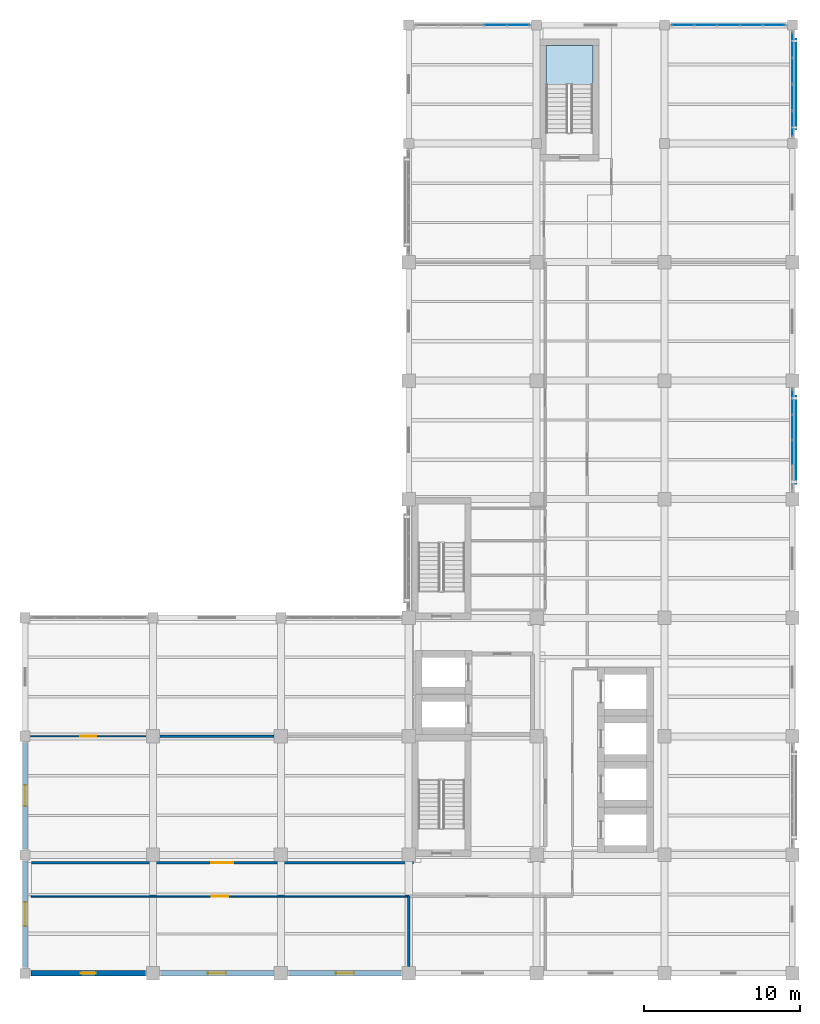
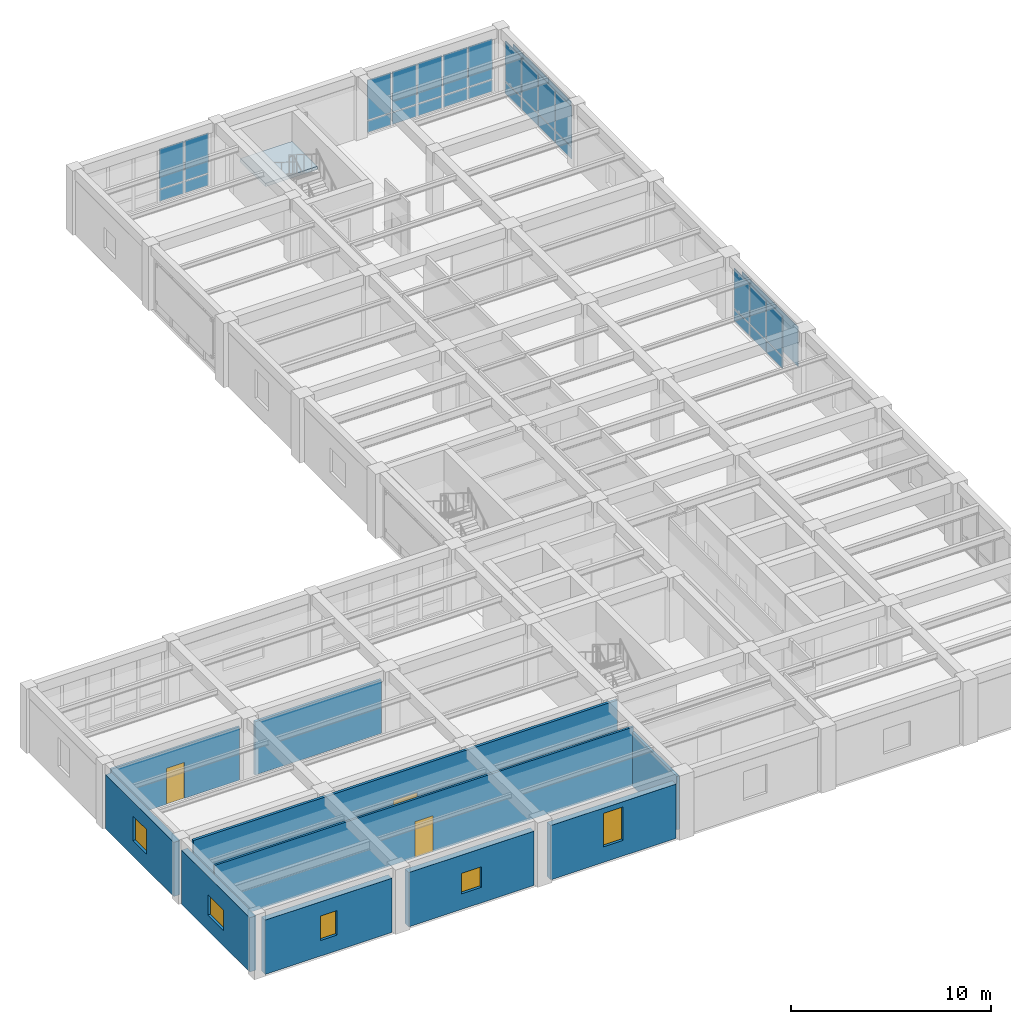
# One storey, part 8 of 16: 30 plates, 10 walls, 5 windows, 3 doors, 1 slab, 8 openings, 5 elements without a shape of their own.
"""IFC4 building model written with IfcOpenShell, lengths in metres."""

from ifc_helpers import new_model, si_unit, direction, frame, frame_2d, origin, origin_2d, place, context, subcontext, project, spatial, polyline, rectangle, outline, extrude, material, layer, layer_set, type_object, element, fill, aggregate, save


model = new_model("IFC4")

# Units and contexts
model_context = context("Model", 3, precision=1e-05, world=origin(), true_north=direction((0.0, 1.0)))
body_context = subcontext(model_context, "Body", "Model", "MODEL_VIEW")
ifc_project = project(units=[si_unit("LENGTHUNIT", "METRE"), si_unit("AREAUNIT", "SQUARE_METRE"), si_unit("VOLUMEUNIT", "CUBIC_METRE"), si_unit("PLANEANGLEUNIT", "RADIAN"), si_unit("MASSUNIT", "GRAM", prefix="KILO")], contexts=[model_context])

# Site, building, storey
site_placement = place(None, origin())
site = spatial("IfcSite", under=ifc_project, at=site_placement, CompositionType="ELEMENT")
building_placement = place(site_placement, origin())
building = spatial("IfcBuilding", under=site, at=building_placement, Name="Qandaris Square Conservatory and Botanical Centre", CompositionType="ELEMENT")
storey_placement = place(building_placement, frame((0.0, 0.0, 24.0)))
storey = spatial("IfcBuildingStorey", under=building, at=storey_placement, Name="L05", CompositionType="ELEMENT", Elevation=24.0)

# Curtain wall, plates
ifc_material_1 = material(Name="Anodised Aluminium", Category="aluminium")
curtain_wall_type_1 = type_object("IfcCurtainWallType", Name="Unitised Curtain Wall CW-4-655x333", PredefinedType="USERDEFINED", material=ifc_material_1)
curtain_wall_1_placement = place(storey_placement, origin())
curtain_wall_1 = element("IfcCurtainWall", 1, at=curtain_wall_1_placement, inside=storey, type_object=curtain_wall_type_1, Name="Curtain Wall CW-TWR-L05-2-5", ObjectType="GLAZED CURTAIN WALL", PredefinedType="USERDEFINED")
ifc_material_2 = material(Name="Tempered Low-E Glass", Category="glass")
ifc_layer_1 = layer(ifc_material_2, 0.035888671875)
ifc_layer_set_1 = layer_set([ifc_layer_1], Name="Tempered Low-E Glass")
plate_type_1 = type_object("IfcPlateType", Name="Double-Glazed Solar Control Vision Unit 36mm", PredefinedType="CURTAIN_PANEL", material=ifc_layer_set_1)
plate_1_placement = place(storey_placement, frame((163.800048828125, 49.981201171875, 0.06494140625), z_axis=(0.0, 0.0, 1.0), x_axis=(0.0, 1.0, 0.0)))
plate_1 = element("IfcPlate", 2, at=plate_1_placement, type_object=plate_type_1, Name="CW-4-655x333 panel 2.1", PredefinedType="CURTAIN_PANEL", context=body_context, shape_type="SweptSolid", body=[
    extrude(rectangle(XDim=1.572509765625, YDim=0.035888671875, at=origin_2d()), origin(), (0.0, 0.0, 1.0), 0.70166015625),
])
plate_2_placement = place(storey_placement, frame((163.800048828125, 49.981201171875, 0.83154296875), z_axis=(0.0, 0.0, 1.0), x_axis=(0.0, 1.0, 0.0)))
plate_2 = element("IfcPlate", 3, at=plate_2_placement, type_object=plate_type_1, Name="CW-4-655x333 panel 2.2", PredefinedType="CURTAIN_PANEL", context=body_context, shape_type="SweptSolid", body=[
    extrude(rectangle(XDim=1.572509765625, YDim=0.035888671875, at=origin_2d()), origin(), (0.0, 0.0, 1.0), 2.433349609375),
])
plate_3_placement = place(storey_placement, frame((163.800048828125, 51.61865234375, 0.06494140625), z_axis=(0.0, 0.0, 1.0), x_axis=(0.0, 1.0, 0.0)))
plate_3 = element("IfcPlate", 4, at=plate_3_placement, type_object=plate_type_1, Name="CW-4-655x333 panel 3.1", PredefinedType="CURTAIN_PANEL", context=body_context, shape_type="SweptSolid", body=[
    extrude(rectangle(XDim=1.572509765625, YDim=0.035888671875, at=origin_2d()), origin(), (0.0, 0.0, 1.0), 0.70166015625),
])
plate_4_placement = place(storey_placement, frame((163.800048828125, 51.61865234375, 0.83154296875), z_axis=(0.0, 0.0, 1.0), x_axis=(0.0, 1.0, 0.0)))
plate_4 = element("IfcPlate", 5, at=plate_4_placement, type_object=plate_type_1, Name="CW-4-655x333 panel 3.2", PredefinedType="CURTAIN_PANEL", context=body_context, shape_type="SweptSolid", body=[
    extrude(rectangle(XDim=1.572509765625, YDim=0.035888671875, at=origin_2d()), origin(), (0.0, 0.0, 1.0), 2.433349609375),
])
plate_5_placement = place(storey_placement, frame((163.800048828125, 53.239990234375, 0.06494140625), z_axis=(0.0, 0.0, 1.0), x_axis=(0.0, 1.0, 0.0)))
plate_5 = element("IfcPlate", 6, at=plate_5_placement, type_object=plate_type_1, Name="CW-4-655x333 panel 4.1", PredefinedType="CURTAIN_PANEL", context=body_context, shape_type="SweptSolid", body=[
    extrude(rectangle(XDim=1.5400390625, YDim=0.035888671875, at=origin_2d()), origin(), (0.0, 0.0, 1.0), 0.70166015625),
])
plate_6_placement = place(storey_placement, frame((163.800048828125, 53.239990234375, 0.83154296875), z_axis=(0.0, 0.0, 1.0), x_axis=(0.0, 1.0, 0.0)))
plate_6 = element("IfcPlate", 7, at=plate_6_placement, type_object=plate_type_1, Name="CW-4-655x333 panel 4.2", PredefinedType="CURTAIN_PANEL", context=body_context, shape_type="SweptSolid", body=[
    extrude(rectangle(XDim=1.5400390625, YDim=0.035888671875, at=origin_2d()), origin(), (0.0, 0.0, 1.0), 2.433349609375),
])
aggregate(curtain_wall_1, [plate_1, plate_2, plate_3, plate_4, plate_5, plate_6])

curtain_wall_type_2 = type_object("IfcCurtainWallType", Name="Unitised Curtain Wall CW-4-675x333", PredefinedType="USERDEFINED", material=ifc_material_1)
curtain_wall_2_placement = place(storey_placement, origin())
curtain_wall_2 = element("IfcCurtainWall", 8, at=curtain_wall_2_placement, inside=storey, type_object=curtain_wall_type_2, Name="Curtain Wall CW-TWR-L05-2-8", ObjectType="GLAZED CURTAIN WALL", PredefinedType="USERDEFINED")
plate_7_placement = place(storey_placement, frame((163.800048828125, 71.0849609375, 0.06494140625), z_axis=(0.0, 0.0, 1.0), x_axis=(0.0, 1.0, 0.0)))
plate_7 = element("IfcPlate", 9, at=plate_7_placement, type_object=plate_type_1, Name="CW-4-675x333 panel 1.1", PredefinedType="CURTAIN_PANEL", context=body_context, shape_type="SweptSolid", body=[
    extrude(rectangle(XDim=1.590087890625, YDim=0.035888671875, at=origin_2d()), origin(), (0.0, 0.0, 1.0), 0.70166015625),
])
plate_8_placement = place(storey_placement, frame((163.800048828125, 71.0849609375, 0.83154296875), z_axis=(0.0, 0.0, 1.0), x_axis=(0.0, 1.0, 0.0)))
plate_8 = element("IfcPlate", 10, at=plate_8_placement, type_object=plate_type_1, Name="CW-4-675x333 panel 1.2", PredefinedType="CURTAIN_PANEL", context=body_context, shape_type="SweptSolid", body=[
    extrude(rectangle(XDim=1.590087890625, YDim=0.035888671875, at=origin_2d()), origin(), (0.0, 0.0, 1.0), 2.433349609375),
])
plate_9_placement = place(storey_placement, frame((163.800048828125, 72.75634765625, 0.06494140625), z_axis=(0.0, 0.0, 1.0), x_axis=(0.0, 1.0, 0.0)))
plate_9 = element("IfcPlate", 11, at=plate_9_placement, type_object=plate_type_1, Name="CW-4-675x333 panel 2.1", PredefinedType="CURTAIN_PANEL", context=body_context, shape_type="SweptSolid", body=[
    extrude(rectangle(XDim=1.62255859375, YDim=0.035888671875, at=origin_2d()), origin(), (0.0, 0.0, 1.0), 0.70166015625),
])
plate_10_placement = place(storey_placement, frame((163.800048828125, 72.75634765625, 0.83154296875), z_axis=(0.0, 0.0, 1.0), x_axis=(0.0, 1.0, 0.0)))
plate_10 = element("IfcPlate", 12, at=plate_10_placement, type_object=plate_type_1, Name="CW-4-675x333 panel 2.2", PredefinedType="CURTAIN_PANEL", context=body_context, shape_type="SweptSolid", body=[
    extrude(rectangle(XDim=1.62255859375, YDim=0.035888671875, at=origin_2d()), origin(), (0.0, 0.0, 1.0), 2.433349609375),
])
plate_11_placement = place(storey_placement, frame((163.800048828125, 74.44384765625, 0.06494140625), z_axis=(0.0, 0.0, 1.0), x_axis=(0.0, 1.0, 0.0)))
plate_11 = element("IfcPlate", 13, at=plate_11_placement, type_object=plate_type_1, Name="CW-4-675x333 panel 3.1", PredefinedType="CURTAIN_PANEL", context=body_context, shape_type="SweptSolid", body=[
    extrude(rectangle(XDim=1.62255859375, YDim=0.035888671875, at=origin_2d()), origin(), (0.0, 0.0, 1.0), 0.70166015625),
])
plate_12_placement = place(storey_placement, frame((163.800048828125, 74.44384765625, 0.83154296875), z_axis=(0.0, 0.0, 1.0), x_axis=(0.0, 1.0, 0.0)))
plate_12 = element("IfcPlate", 14, at=plate_12_placement, type_object=plate_type_1, Name="CW-4-675x333 panel 3.2", PredefinedType="CURTAIN_PANEL", context=body_context, shape_type="SweptSolid", body=[
    extrude(rectangle(XDim=1.62255859375, YDim=0.035888671875, at=origin_2d()), origin(), (0.0, 0.0, 1.0), 2.433349609375),
])
plate_13_placement = place(storey_placement, frame((163.800048828125, 76.114990234375, 0.06494140625), z_axis=(0.0, 0.0, 1.0), x_axis=(0.0, 1.0, 0.0)))
plate_13 = element("IfcPlate", 15, at=plate_13_placement, type_object=plate_type_1, Name="CW-4-675x333 panel 4.1", PredefinedType="CURTAIN_PANEL", context=body_context, shape_type="SweptSolid", body=[
    extrude(rectangle(XDim=1.590087890625, YDim=0.035888671875, at=origin_2d()), origin(), (0.0, 0.0, 1.0), 0.70166015625),
])
plate_14_placement = place(storey_placement, frame((163.800048828125, 76.114990234375, 0.83154296875), z_axis=(0.0, 0.0, 1.0), x_axis=(0.0, 1.0, 0.0)))
plate_14 = element("IfcPlate", 16, at=plate_14_placement, type_object=plate_type_1, Name="CW-4-675x333 panel 4.2", PredefinedType="CURTAIN_PANEL", context=body_context, shape_type="SweptSolid", body=[
    extrude(rectangle(XDim=1.590087890625, YDim=0.035888671875, at=origin_2d()), origin(), (0.0, 0.0, 1.0), 2.433349609375),
])
aggregate(curtain_wall_2, [plate_7, plate_8, plate_9, plate_10, plate_11, plate_12, plate_13, plate_14])

curtain_wall_type_3 = type_object("IfcCurtainWallType", Name="Unitised Curtain Wall CW-3-735x333", PredefinedType="USERDEFINED", material=ifc_material_1)
curtain_wall_3_placement = place(storey_placement, origin())
curtain_wall_3 = element("IfcCurtainWall", 17, at=curtain_wall_3_placement, inside=storey, type_object=curtain_wall_type_3, Name="Curtain Wall CW-TWR-L05-3-1", ObjectType="GLAZED CURTAIN WALL", PredefinedType="USERDEFINED")
plate_15_placement = place(storey_placement, frame((162.623779296875, 77.39990234375, 0.06494140625), z_axis=(0.0, 0.0, 1.0), x_axis=(-1.0, 0.0, 0.0)))
plate_15 = element("IfcPlate", 18, at=plate_15_placement, type_object=plate_type_1, Name="CW-3-735x333 panel 1.1", PredefinedType="CURTAIN_PANEL", context=body_context, shape_type="SweptSolid", body=[
    extrude(rectangle(XDim=1.37255859375, YDim=0.035888671875, at=origin_2d()), origin(), (0.0, 0.0, 1.0), 0.70166015625),
])
plate_16_placement = place(storey_placement, frame((162.623779296875, 77.39990234375, 0.83154296875), z_axis=(0.0, 0.0, 1.0), x_axis=(-1.0, 0.0, 0.0)))
plate_16 = element("IfcPlate", 19, at=plate_16_placement, type_object=plate_type_1, Name="CW-3-735x333 panel 1.2", PredefinedType="CURTAIN_PANEL", context=body_context, shape_type="SweptSolid", body=[
    extrude(rectangle(XDim=1.37255859375, YDim=0.035888671875, at=origin_2d()), origin(), (0.0, 0.0, 1.0), 2.433349609375),
])
plate_17_placement = place(storey_placement, frame((161.169921875, 77.39990234375, 0.06494140625), z_axis=(0.0, 0.0, 1.0), x_axis=(-1.0, 0.0, 0.0)))
plate_17 = element("IfcPlate", 20, at=plate_17_placement, type_object=plate_type_1, Name="CW-3-735x333 panel 2.1", PredefinedType="CURTAIN_PANEL", context=body_context, shape_type="SweptSolid", body=[
    extrude(rectangle(XDim=1.405029296875, YDim=0.035888671875, at=origin_2d()), origin(), (0.0, 0.0, 1.0), 0.70166015625),
])
plate_18_placement = place(storey_placement, frame((161.169921875, 77.39990234375, 0.83154296875), z_axis=(0.0, 0.0, 1.0), x_axis=(-1.0, 0.0, 0.0)))
plate_18 = element("IfcPlate", 21, at=plate_18_placement, type_object=plate_type_1, Name="CW-3-735x333 panel 2.2", PredefinedType="CURTAIN_PANEL", context=body_context, shape_type="SweptSolid", body=[
    extrude(rectangle(XDim=1.405029296875, YDim=0.035888671875, at=origin_2d()), origin(), (0.0, 0.0, 1.0), 2.433349609375),
])
plate_19_placement = place(storey_placement, frame((159.699951171875, 77.39990234375, 0.06494140625), z_axis=(0.0, 0.0, 1.0), x_axis=(-1.0, 0.0, 0.0)))
plate_19 = element("IfcPlate", 22, at=plate_19_placement, type_object=plate_type_1, Name="CW-3-735x333 panel 3.1", PredefinedType="CURTAIN_PANEL", context=body_context, shape_type="SweptSolid", body=[
    extrude(rectangle(XDim=1.405029296875, YDim=0.035888671875, at=origin_2d()), origin(), (0.0, 0.0, 1.0), 0.70166015625),
])
plate_20_placement = place(storey_placement, frame((159.699951171875, 77.39990234375, 0.83154296875), z_axis=(0.0, 0.0, 1.0), x_axis=(-1.0, 0.0, 0.0)))
plate_20 = element("IfcPlate", 23, at=plate_20_placement, type_object=plate_type_1, Name="CW-3-735x333 panel 3.2", PredefinedType="CURTAIN_PANEL", context=body_context, shape_type="SweptSolid", body=[
    extrude(rectangle(XDim=1.405029296875, YDim=0.035888671875, at=origin_2d()), origin(), (0.0, 0.0, 1.0), 2.433349609375),
])
plate_21_placement = place(storey_placement, frame((158.22998046875, 77.39990234375, 0.06494140625), z_axis=(0.0, 0.0, 1.0), x_axis=(-1.0, 0.0, 0.0)))
plate_21 = element("IfcPlate", 24, at=plate_21_placement, type_object=plate_type_1, Name="CW-3-735x333 panel 4.1", PredefinedType="CURTAIN_PANEL", context=body_context, shape_type="SweptSolid", body=[
    extrude(rectangle(XDim=1.405029296875, YDim=0.035888671875, at=origin_2d()), origin(), (0.0, 0.0, 1.0), 0.70166015625),
])
plate_22_placement = place(storey_placement, frame((158.22998046875, 77.39990234375, 0.83154296875), z_axis=(0.0, 0.0, 1.0), x_axis=(-1.0, 0.0, 0.0)))
plate_22 = element("IfcPlate", 25, at=plate_22_placement, type_object=plate_type_1, Name="CW-3-735x333 panel 4.2", PredefinedType="CURTAIN_PANEL", context=body_context, shape_type="SweptSolid", body=[
    extrude(rectangle(XDim=1.405029296875, YDim=0.035888671875, at=origin_2d()), origin(), (0.0, 0.0, 1.0), 2.433349609375),
])
plate_23_placement = place(storey_placement, frame((156.7763671875, 77.39990234375, 0.06494140625), z_axis=(0.0, 0.0, 1.0), x_axis=(-1.0, 0.0, 0.0)))
plate_23 = element("IfcPlate", 26, at=plate_23_placement, type_object=plate_type_1, Name="CW-3-735x333 panel 5.1", PredefinedType="CURTAIN_PANEL", context=body_context, shape_type="SweptSolid", body=[
    extrude(rectangle(XDim=1.37255859375, YDim=0.035888671875, at=origin_2d()), origin(), (0.0, 0.0, 1.0), 0.70166015625),
])
plate_24_placement = place(storey_placement, frame((156.7763671875, 77.39990234375, 0.83154296875), z_axis=(0.0, 0.0, 1.0), x_axis=(-1.0, 0.0, 0.0)))
plate_24 = element("IfcPlate", 27, at=plate_24_placement, type_object=plate_type_1, Name="CW-3-735x333 panel 5.2", PredefinedType="CURTAIN_PANEL", context=body_context, shape_type="SweptSolid", body=[
    extrude(rectangle(XDim=1.37255859375, YDim=0.035888671875, at=origin_2d()), origin(), (0.0, 0.0, 1.0), 2.433349609375),
])
aggregate(curtain_wall_3, [plate_15, plate_16, plate_17, plate_18, plate_19, plate_20, plate_21, plate_22, plate_23, plate_24])

curtain_wall_4_placement = place(storey_placement, origin())
curtain_wall_4 = element("IfcCurtainWall", 28, at=curtain_wall_4_placement, inside=storey, type_object=curtain_wall_type_3, Name="Curtain Wall CW-TWR-L05-3-3", ObjectType="GLAZED CURTAIN WALL", PredefinedType="USERDEFINED")
plate_25_placement = place(storey_placement, frame((146.2236328125, 77.39990234375, 0.06494140625), z_axis=(0.0, 0.0, 1.0), x_axis=(-1.0, 0.0, 0.0)))
plate_25 = element("IfcPlate", 29, at=plate_25_placement, type_object=plate_type_1, Name="CW-3-735x333 panel 1.1", PredefinedType="CURTAIN_PANEL", context=body_context, shape_type="SweptSolid", body=[
    extrude(rectangle(XDim=1.37255859375, YDim=0.035888671875, at=origin_2d()), origin(), (0.0, 0.0, 1.0), 0.70166015625),
])
plate_26_placement = place(storey_placement, frame((146.2236328125, 77.39990234375, 0.83154296875), z_axis=(0.0, 0.0, 1.0), x_axis=(-1.0, 0.0, 0.0)))
plate_26 = element("IfcPlate", 30, at=plate_26_placement, type_object=plate_type_1, Name="CW-3-735x333 panel 1.2", PredefinedType="CURTAIN_PANEL", context=body_context, shape_type="SweptSolid", body=[
    extrude(rectangle(XDim=1.37255859375, YDim=0.035888671875, at=origin_2d()), origin(), (0.0, 0.0, 1.0), 2.433349609375),
])
plate_27_placement = place(storey_placement, frame((144.77001953125, 77.39990234375, 0.06494140625), z_axis=(0.0, 0.0, 1.0), x_axis=(-1.0, 0.0, 0.0)))
plate_27 = element("IfcPlate", 31, at=plate_27_placement, type_object=plate_type_1, Name="CW-3-735x333 panel 2.1", PredefinedType="CURTAIN_PANEL", context=body_context, shape_type="SweptSolid", body=[
    extrude(rectangle(XDim=1.405029296875, YDim=0.035888671875, at=origin_2d()), origin(), (0.0, 0.0, 1.0), 0.70166015625),
])
plate_28_placement = place(storey_placement, frame((144.77001953125, 77.39990234375, 0.83154296875), z_axis=(0.0, 0.0, 1.0), x_axis=(-1.0, 0.0, 0.0)))
plate_28 = element("IfcPlate", 32, at=plate_28_placement, type_object=plate_type_1, Name="CW-3-735x333 panel 2.2", PredefinedType="CURTAIN_PANEL", context=body_context, shape_type="SweptSolid", body=[
    extrude(rectangle(XDim=1.405029296875, YDim=0.035888671875, at=origin_2d()), origin(), (0.0, 0.0, 1.0), 2.433349609375),
])
aggregate(curtain_wall_4, [plate_25, plate_26, plate_27, plate_28])

# Plates
ifc_material_3 = material(Name="Weathering Bronze Alloy", Category="metal")
ifc_layer_2 = layer(ifc_material_3, 0.044921875)
ifc_layer_set_2 = layer_set([ifc_layer_2], Name="Weathering Bronze Alloy")
plate_type_2 = type_object("IfcPlateType", Name="Perforated Bronze Mashrabiya Solar Screen Panel", PredefinedType="USERDEFINED", material=ifc_layer_set_2)
plate_29_placement = place(storey_placement, frame((164.02001953125, 50.800048828125, 0.8291015625), z_axis=(0.0, 0.0, 1.0), x_axis=(0.0, 1.0, 0.0)))
element("IfcPlate", 33, at=plate_29_placement, inside=storey, type_object=plate_type_2, Name="Mashrabiya Solar Screen CW-TWR-L05-2-5", ObjectType="SOLAR SCREEN", PredefinedType="USERDEFINED", context=body_context, shape_type="SweptSolid", body=[
    extrude(rectangle(XDim=5.590087890625, YDim=0.044921875, at=origin_2d()), origin(), (0.0, 0.0, 1.0), 2.410888671875),
])
plate_30_placement = place(storey_placement, frame((164.02001953125, 73.60009765625, 0.8291015625), z_axis=(0.0, 0.0, 1.0), x_axis=(0.0, 1.0, 0.0)))
element("IfcPlate", 34, at=plate_30_placement, inside=storey, type_object=plate_type_2, Name="Mashrabiya Solar Screen CW-TWR-L05-2-8", ObjectType="SOLAR SCREEN", PredefinedType="USERDEFINED", context=body_context, shape_type="SweptSolid", body=[
    extrude(rectangle(XDim=5.7900390625, YDim=0.044921875, at=origin_2d()), origin(), (0.0, 0.0, 1.0), 2.410888671875),
])

# Stair, slab
ifc_material_4 = material(Name="Concrete C40/50", Category="concrete")
stair_type = type_object("IfcStairType", Name="Core Escape Scissor Stair", PredefinedType="HALF_TURN_STAIR", material=ifc_material_4)
stair_placement = place(storey_placement, origin())
stair = element("IfcStair", 35, at=stair_placement, inside=storey, type_object=stair_type, Name="L05 Herbarium North Exit Stair ST-3", PredefinedType="HALF_TURN_STAIR")
ifc_layer_3 = layer(ifc_material_4, 0.219970703125)
ifc_layer_set_3 = layer_set([ifc_layer_3], Name="Concrete C40/50")
slab_type = type_object("IfcSlabType", Name="RC Stair Half-Landing Slab 220mm", PredefinedType="LANDING", material=ifc_layer_set_3)
slab_placement = place(storey_placement, frame((0.0, 0.0, 1.89990234375)))
slab = element("IfcSlab", 36, at=slab_placement, type_object=slab_type, Name="ST-3 landing 1", PredefinedType="LANDING", context=body_context, shape_type="SweptSolid", body=[
    extrude(outline(polyline([(151.0, 73.580078125), (151.0, 76.10009765625), (148.0, 76.10009765625), (148.0, 73.580078125), (151.0, 73.580078125)])), origin(), (0.0, 0.0, 1.0), 0.2001953125),
])
aggregate(stair, [slab])

# Wall, opening, door
ifc_material_5 = material(Name="Gypsum Plasterboard", Category="gypsum")
ifc_layer_4 = layer(ifc_material_5, 0.14990234375)
ifc_layer_set_4 = layer_set([ifc_layer_4], Name="Gypsum Plasterboard")
wall_type_1 = type_object("IfcWallType", Name="Acoustic Laboratory Partition 150mm", PredefinedType="PARTITIONING", material=ifc_layer_set_4)
wall_1_placement = place(storey_placement, frame((115.0, 23.699951171875, 0.0), z_axis=(0.0, 0.0, 1.0), x_axis=(1.0, 0.0, 0.0)))
wall_1 = element("IfcWall", 37, at=wall_1_placement, inside=storey, type_object=wall_type_1, Name="Interior Partition IW-L05-0232", PredefinedType="PARTITIONING", context=body_context, shape_type="SweptSolid", body=[
    extrude(rectangle(XDim=24.5, YDim=0.14990234375, at=frame_2d((12.25, 0.0))), origin(), (0.0, 0.0, 1.0), 3.804931640625),
])
opening_1_placement = place(wall_1_placement, frame((11.550048828125, 0.0, 0.0)))
opening_1 = element("IfcOpeningElement", 38, at=opening_1_placement, cuts=wall_1, Name="Opening D-LAB1", PredefinedType="OPENING", context=body_context, shape_type="SweptSolid", body=[
    extrude(rectangle(XDim=1.39990234375, YDim=2.199951171875, at=frame_2d((0.699951171875, 1.10009765625))), frame((0.0, 0.0869140625, 0.0), z_axis=(0.0, -1.0, 0.0), x_axis=(1.0, 0.0, 0.0)), (0.0, 0.0, 1.0), 0.173828125),
])
ifc_material_6 = material(Name="Engineered Oak Timber", Category="wood")
door_type_1 = type_object("IfcDoorType", Name="Research Laboratory Leaf-and-Half Door 1400x2200", OperationType="DOUBLE_DOOR_SINGLE_SWING", PredefinedType="DOOR", material=ifc_material_6)
door_1_placement = place(opening_1_placement, frame((1.39990234375, 0.0, 0.0), z_axis=(0.0, 0.0, 1.0), x_axis=(-1.0, 0.0, 0.0)))
door_1 = element("IfcDoor", 39, at=door_1_placement, inside=storey, type_object=door_type_1, Name="DR-0202 Plant Physiology Research Laboratory South Door", OperationType="DOUBLE_DOOR_SINGLE_SWING", OverallHeight=2.199951171875, OverallWidth=1.39990234375, PredefinedType="DOOR", context=body_context, shape_type="SweptSolid", body=[
    extrude(rectangle(XDim=1.39990234375, YDim=2.199951171875, at=frame_2d((0.699951171875, 1.10009765625))), frame((0.0, 0.02490234375, 0.0), z_axis=(0.0, -1.0, 0.0), x_axis=(1.0, 0.0, 0.0)), (0.0, 0.0, 1.0), 0.050048828125),
])
fill(opening_1, door_1)

# Walls
wall_2_placement = place(storey_placement, frame((139.199951171875, 21.550048828125, 0.0), z_axis=(0.0, 0.0, 1.0), x_axis=(0.0, -1.0, 0.0)))
element("IfcWall", 40, at=wall_2_placement, inside=storey, type_object=wall_type_1, Name="Interior Partition IW-L05-0233", PredefinedType="PARTITIONING", context=body_context, shape_type="SweptSolid", body=[
    extrude(rectangle(XDim=4.505126953125, YDim=0.14990234375, at=frame_2d((2.25244140625, 0.0))), origin(), (0.0, 0.0, 1.0), 3.264892578125),
])
wall_3_placement = place(storey_placement, frame((123.2451171875, 31.800048828125, 0.0), z_axis=(0.0, 0.0, 1.0), x_axis=(1.0, 0.0, 0.0)))
element("IfcWall", 41, at=wall_3_placement, inside=storey, type_object=wall_type_1, Name="Interior Partition IW-L05-0239", PredefinedType="PARTITIONING", context=body_context, shape_type="SweptSolid", body=[
    extrude(rectangle(XDim=7.309814453125, YDim=0.14990234375, at=frame_2d((3.65478515625, 0.0))), origin(), (0.0, 0.0, 1.0), 3.264892578125),
])

# Wall, opening, window
ifc_material_7 = material(Name="Precast concrete C40/50", Category="concrete")
ifc_layer_5 = layer(ifc_material_7, 0.360107421875)
ifc_layer_set_5 = layer_set([ifc_layer_5], Name="Precast concrete C40/50")
wall_type_2 = type_object("IfcWallType", Name="Architectural Precast Cladding Wall 360mm", PredefinedType="SOLIDWALL", material=ifc_layer_set_5)
wall_4_placement = place(storey_placement, frame((114.985107421875, 16.60009765625, 0.0), z_axis=(0.0, 0.0, 1.0), x_axis=(1.0, 0.0, 0.0)))
wall_4 = element("IfcWall", 42, at=wall_4_placement, inside=storey, type_object=wall_type_2, Name="Exterior Wall EW-TWR-L05-1-1", PredefinedType="SOLIDWALL", context=body_context, shape_type="SweptSolid", body=[
    extrude(rectangle(XDim=7.329833984375, YDim=0.360107421875, at=frame_2d((3.6650390625, 0.0))), origin(), (0.0, 0.0, 1.0), 3.31494140625),
])
opening_2_placement = place(wall_4_placement, frame((3.18994140625, 0.0, 0.949951171875)))
opening_2 = element("IfcOpeningElement", 43, at=opening_2_placement, cuts=wall_4, Name="Opening WN-14", PredefinedType="OPENING", context=body_context, shape_type="SweptSolid", body=[
    extrude(rectangle(XDim=0.949951171875, YDim=1.5, at=frame_2d((0.47509765625, 0.75))), frame((0.0, 0.19189453125, 0.0), z_axis=(0.0, -1.0, 0.0), x_axis=(1.0, 0.0, 0.0)), (0.0, 0.0, 1.0), 0.384033203125),
])
window_type_1 = type_object("IfcWindowType", Name="Solar Control Window 950x1500", PartitioningType="SINGLE_PANEL", PredefinedType="WINDOW", material=ifc_material_2)
window_1_placement = place(opening_2_placement, origin())
window_1 = element("IfcWindow", 44, at=window_1_placement, inside=storey, type_object=window_type_1, Name="Window EW-TWR-L05-1-1", OverallHeight=1.5, OverallWidth=0.949951171875, PartitioningType="SINGLE_PANEL", PredefinedType="WINDOW", context=body_context, shape_type="SweptSolid", body=[
    extrude(rectangle(XDim=0.949951171875, YDim=1.5, at=frame_2d((0.47509765625, 0.75))), frame((0.0, 0.030029296875, 0.0), z_axis=(0.0, -1.0, 0.0), x_axis=(1.0, 0.0, 0.0)), (0.0, 0.0, 1.0), 0.06005859375),
])
fill(opening_2, window_1)

wall_5_placement = place(storey_placement, frame((123.284912109375, 16.60009765625, 0.0), z_axis=(0.0, 0.0, 1.0), x_axis=(1.0, 0.0, 0.0)))
wall_5 = element("IfcWall", 45, at=wall_5_placement, inside=storey, type_object=wall_type_2, Name="Exterior Wall EW-TWR-L05-1-2", PredefinedType="SOLIDWALL", context=body_context, shape_type="SweptSolid", body=[
    extrude(rectangle(XDim=7.22998046875, YDim=0.360107421875, at=frame_2d((3.614990234375, 0.0))), origin(), (0.0, 0.0, 1.0), 3.31494140625),
])
opening_3_placement = place(wall_5_placement, frame((3.0400390625, 0.0, 0.949951171875)))
opening_3 = element("IfcOpeningElement", 46, at=opening_3_placement, cuts=wall_5, Name="Opening WN-17", PredefinedType="OPENING", context=body_context, shape_type="SweptSolid", body=[
    extrude(rectangle(XDim=1.14990234375, YDim=1.25, at=frame_2d((0.574951171875, 0.625))), frame((0.0, 0.19189453125, 0.0), z_axis=(0.0, -1.0, 0.0), x_axis=(1.0, 0.0, 0.0)), (0.0, 0.0, 1.0), 0.384033203125),
])
window_type_2 = type_object("IfcWindowType", Name="Solar Control Window 1150x1250", PartitioningType="SINGLE_PANEL", PredefinedType="WINDOW", material=ifc_material_2)
window_2_placement = place(opening_3_placement, origin())
window_2 = element("IfcWindow", 47, at=window_2_placement, inside=storey, type_object=window_type_2, Name="Window EW-TWR-L05-1-2", OverallHeight=1.25, OverallWidth=1.14990234375, PartitioningType="SINGLE_PANEL", PredefinedType="WINDOW", context=body_context, shape_type="SweptSolid", body=[
    extrude(rectangle(XDim=1.14990234375, YDim=1.25, at=frame_2d((0.574951171875, 0.625))), frame((0.0, 0.030029296875, 0.0), z_axis=(0.0, -1.0, 0.0), x_axis=(1.0, 0.0, 0.0)), (0.0, 0.0, 1.0), 0.06005859375),
])
fill(opening_3, window_2)

wall_6_placement = place(storey_placement, frame((131.485107421875, 16.60009765625, 0.0), z_axis=(0.0, 0.0, 1.0), x_axis=(1.0, 0.0, 0.0)))
wall_6 = element("IfcWall", 48, at=wall_6_placement, inside=storey, type_object=wall_type_2, Name="Exterior Wall EW-TWR-L05-1-3", PredefinedType="SOLIDWALL", context=body_context, shape_type="SweptSolid", body=[
    extrude(rectangle(XDim=7.22998046875, YDim=0.360107421875, at=frame_2d((3.614990234375, 0.0))), origin(), (0.0, 0.0, 1.0), 3.31494140625),
])
opening_4_placement = place(wall_6_placement, frame((3.0400390625, 0.0, 0.949951171875)))
opening_4 = element("IfcOpeningElement", 49, at=opening_4_placement, cuts=wall_6, Name="Opening WN-20", PredefinedType="OPENING", context=body_context, shape_type="SweptSolid", body=[
    extrude(rectangle(XDim=1.14990234375, YDim=2.050048828125, at=frame_2d((0.574951171875, 1.02490234375))), frame((0.0, 0.19189453125, 0.0), z_axis=(0.0, -1.0, 0.0), x_axis=(1.0, 0.0, 0.0)), (0.0, 0.0, 1.0), 0.384033203125),
])
window_type_3 = type_object("IfcWindowType", Name="Solar Control Window 1150x2050", PartitioningType="SINGLE_PANEL", PredefinedType="WINDOW", material=ifc_material_2)
window_3_placement = place(opening_4_placement, origin())
window_3 = element("IfcWindow", 50, at=window_3_placement, inside=storey, type_object=window_type_3, Name="Window EW-TWR-L05-1-3", OverallHeight=2.050048828125, OverallWidth=1.14990234375, PartitioningType="SINGLE_PANEL", PredefinedType="WINDOW", context=body_context, shape_type="SweptSolid", body=[
    extrude(rectangle(XDim=1.14990234375, YDim=2.050048828125, at=frame_2d((0.574951171875, 1.02490234375))), frame((0.0, 0.030029296875, 0.0), z_axis=(0.0, -1.0, 0.0), x_axis=(1.0, 0.0, 0.0)), (0.0, 0.0, 1.0), 0.06005859375),
])
fill(opening_4, window_3)

wall_7_placement = place(storey_placement, frame((114.60009765625, 31.4150390625, 0.0), z_axis=(0.0, 0.0, 1.0), x_axis=(0.0, -1.0, 0.0)))
wall_7 = element("IfcWall", 51, at=wall_7_placement, inside=storey, type_object=wall_type_2, Name="Exterior Wall EW-TWR-L05-6-2", PredefinedType="SOLIDWALL", context=body_context, shape_type="SweptSolid", body=[
    extrude(rectangle(XDim=6.830078125, YDim=0.360107421875, at=frame_2d((3.4150390625, 0.0))), origin(), (0.0, 0.0, 1.0), 3.31494140625),
])
opening_5_placement = place(wall_7_placement, frame((2.739990234375, 0.0, 0.949951171875)))
opening_5 = element("IfcOpeningElement", 52, at=opening_5_placement, cuts=wall_7, Name="Opening WN-22", PredefinedType="OPENING", context=body_context, shape_type="SweptSolid", body=[
    extrude(rectangle(XDim=1.35009765625, YDim=1.5, at=frame_2d((0.675048828125, 0.75))), frame((0.0, 0.19189453125, 0.0), z_axis=(0.0, -1.0, 0.0), x_axis=(1.0, 0.0, 0.0)), (0.0, 0.0, 1.0), 0.384033203125),
])
window_type_4 = type_object("IfcWindowType", Name="Solar Control Window 1350x1500", PartitioningType="SINGLE_PANEL", PredefinedType="WINDOW", material=ifc_material_2)
window_4_placement = place(opening_5_placement, origin())
window_4 = element("IfcWindow", 53, at=window_4_placement, inside=storey, type_object=window_type_4, Name="Window EW-TWR-L05-6-2", OverallHeight=1.5, OverallWidth=1.35009765625, PartitioningType="SINGLE_PANEL", PredefinedType="WINDOW", context=body_context, shape_type="SweptSolid", body=[
    extrude(rectangle(XDim=1.35009765625, YDim=1.5, at=frame_2d((0.675048828125, 0.75))), frame((0.0, 0.030029296875, 0.0), z_axis=(0.0, -1.0, 0.0), x_axis=(1.0, 0.0, 0.0)), (0.0, 0.0, 1.0), 0.06005859375),
])
fill(opening_5, window_4)

wall_8_placement = place(storey_placement, frame((114.60009765625, 23.81494140625, 0.0), z_axis=(0.0, 0.0, 1.0), x_axis=(0.0, -1.0, 0.0)))
wall_8 = element("IfcWall", 54, at=wall_8_placement, inside=storey, type_object=wall_type_2, Name="Exterior Wall EW-TWR-L05-6-3", PredefinedType="SOLIDWALL", context=body_context, shape_type="SweptSolid", body=[
    extrude(rectangle(XDim=6.829833984375, YDim=0.360107421875, at=frame_2d((3.4150390625, 0.0))), origin(), (0.0, 0.0, 1.0), 3.31494140625),
])
opening_6_placement = place(wall_8_placement, frame((2.639892578125, 0.0, 0.949951171875)))
opening_6 = element("IfcOpeningElement", 55, at=opening_6_placement, cuts=wall_8, Name="Opening WN-25", PredefinedType="OPENING", context=body_context, shape_type="SweptSolid", body=[
    extrude(rectangle(XDim=1.550048828125, YDim=1.25, at=frame_2d((0.77490234375, 0.625))), frame((0.0, 0.19189453125, 0.0), z_axis=(0.0, -1.0, 0.0), x_axis=(1.0, 0.0, 0.0)), (0.0, 0.0, 1.0), 0.384033203125),
])
window_type_5 = type_object("IfcWindowType", Name="Solar Control Window 1550x1250", PartitioningType="DOUBLE_PANEL_VERTICAL", PredefinedType="WINDOW", material=ifc_material_2)
window_5_placement = place(opening_6_placement, origin())
window_5 = element("IfcWindow", 56, at=window_5_placement, inside=storey, type_object=window_type_5, Name="Window EW-TWR-L05-6-3", OverallHeight=1.25, OverallWidth=1.550048828125, PartitioningType="DOUBLE_PANEL_VERTICAL", PredefinedType="WINDOW", context=body_context, shape_type="SweptSolid", body=[
    extrude(rectangle(XDim=1.550048828125, YDim=1.25, at=frame_2d((0.77490234375, 0.625))), frame((0.0, 0.030029296875, 0.0), z_axis=(0.0, -1.0, 0.0), x_axis=(1.0, 0.0, 0.0)), (0.0, 0.0, 1.0), 0.06005859375),
])
fill(opening_6, window_5)

# Wall, opening, door
ifc_layer_6 = layer(ifc_material_5, 0.1201171875)
ifc_layer_set_6 = layer_set([ifc_layer_6], Name="Gypsum Plasterboard")
wall_type_3 = type_object("IfcWallType", Name="Standard Research Partition 120mm", PredefinedType="PARTITIONING", material=ifc_layer_set_6)
wall_9_placement = place(storey_placement, frame((139.199951171875, 21.550048828125, 0.0), z_axis=(0.0, 0.0, 1.0), x_axis=(-1.0, 0.0, 0.0)))
wall_9 = element("IfcWall", 57, at=wall_9_placement, inside=storey, type_object=wall_type_3, Name="Interior Partition IW-L05-0222", PredefinedType="PARTITIONING", context=body_context, shape_type="SweptSolid", body=[
    extrude(rectangle(XDim=24.199951171875, YDim=0.1201171875, at=frame_2d((12.10009765625, 0.0))), origin(), (0.0, 0.0, 1.0), 3.574951171875),
])
opening_7_placement = place(wall_9_placement, frame((11.574951171875, 0.0, 0.0)))
opening_7 = element("IfcOpeningElement", 58, at=opening_7_placement, cuts=wall_9, Name="Opening D-LAB2", PredefinedType="OPENING", context=body_context, shape_type="SweptSolid", body=[
    extrude(rectangle(XDim=1.050048828125, YDim=2.199951171875, at=frame_2d((0.52490234375, 1.10009765625))), frame((0.0, 0.072021484375, 0.0), z_axis=(0.0, -1.0, 0.0), x_axis=(1.0, 0.0, 0.0)), (0.0, 0.0, 1.0), 0.14404296875),
])
door_type_2 = type_object("IfcDoorType", Name="Analytical Laboratory Single Door 1050x2200", OperationType="NOTDEFINED", PredefinedType="DOOR", material=ifc_material_6)
door_2_placement = place(opening_7_placement, origin())
door_2 = element("IfcDoor", 59, at=door_2_placement, inside=storey, type_object=door_type_2, Name="DR-0203 Desert Mycology Research Laboratory Door", OperationType="SINGLE_SWING_LEFT", OverallHeight=2.199951171875, OverallWidth=1.050048828125, PredefinedType="DOOR", context=body_context, shape_type="SweptSolid", body=[
    extrude(rectangle(XDim=1.050048828125, YDim=2.199951171875, at=frame_2d((0.52490234375, 1.10009765625))), frame((0.0, 0.02490234375, 0.0), z_axis=(0.0, -1.0, 0.0), x_axis=(1.0, 0.0, 0.0)), (0.0, 0.0, 1.0), 0.050048828125),
])
fill(opening_7, door_2)

wall_10_placement = place(storey_placement, frame((114.945068359375, 31.800048828125, 0.0), z_axis=(0.0, 0.0, 1.0), x_axis=(1.0, 0.0, 0.0)))
wall_10 = element("IfcWall", 60, at=wall_10_placement, inside=storey, type_object=wall_type_3, Name="Interior Partition IW-L05-0238", PredefinedType="PARTITIONING", context=body_context, shape_type="SweptSolid", body=[
    extrude(rectangle(XDim=7.409912109375, YDim=0.1201171875, at=frame_2d((3.705078125, 0.0))), origin(), (0.0, 0.0, 1.0), 3.264892578125),
])
opening_8_placement = place(wall_10_placement, frame((3.179931640625, 0.0, 0.0)))
opening_8 = element("IfcOpeningElement", 61, at=opening_8_placement, cuts=wall_10, Name="Opening D-LAB2", PredefinedType="OPENING", context=body_context, shape_type="SweptSolid", body=[
    extrude(rectangle(XDim=1.050048828125, YDim=2.199951171875, at=frame_2d((0.52490234375, 1.10009765625))), frame((0.0, 0.072021484375, 0.0), z_axis=(0.0, -1.0, 0.0), x_axis=(1.0, 0.0, 0.0)), (0.0, 0.0, 1.0), 0.14404296875),
])
door_3_placement = place(opening_8_placement, origin())
door_3 = element("IfcDoor", 62, at=door_3_placement, inside=storey, type_object=door_type_2, Name="DR-0206 Plant Physiology Research Laboratory South Door", OperationType="SINGLE_SWING_RIGHT", OverallHeight=2.199951171875, OverallWidth=1.050048828125, PredefinedType="DOOR", context=body_context, shape_type="SweptSolid", body=[
    extrude(rectangle(XDim=1.050048828125, YDim=2.199951171875, at=frame_2d((0.52490234375, 1.10009765625))), frame((0.0, 0.02490234375, 0.0), z_axis=(0.0, -1.0, 0.0), x_axis=(1.0, 0.0, 0.0)), (0.0, 0.0, 1.0), 0.050048828125),
])
fill(opening_8, door_3)

save(model, "model.ifc")
